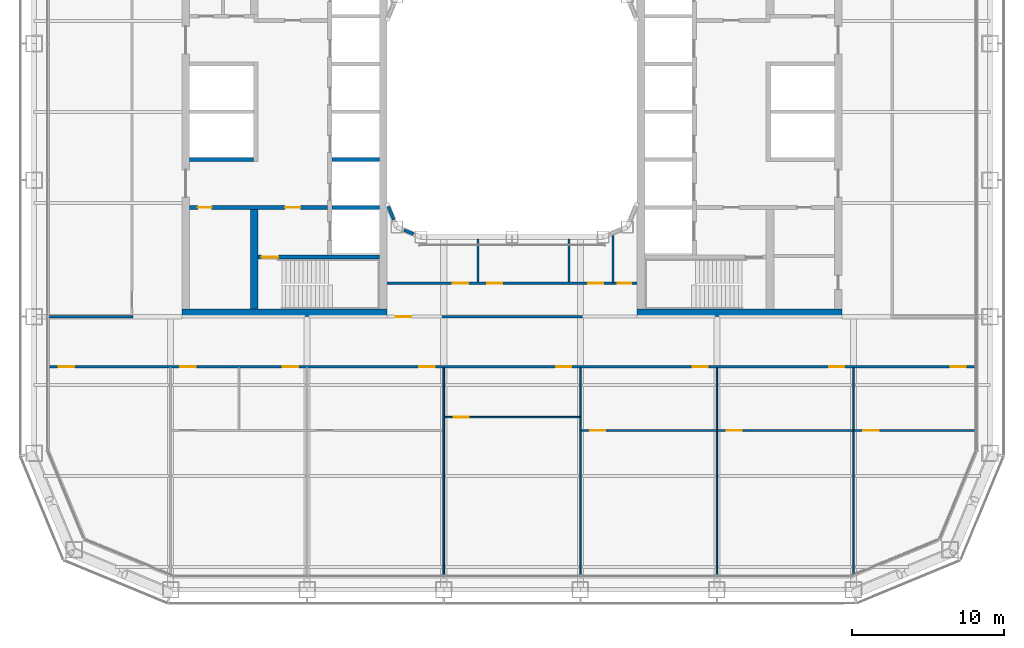
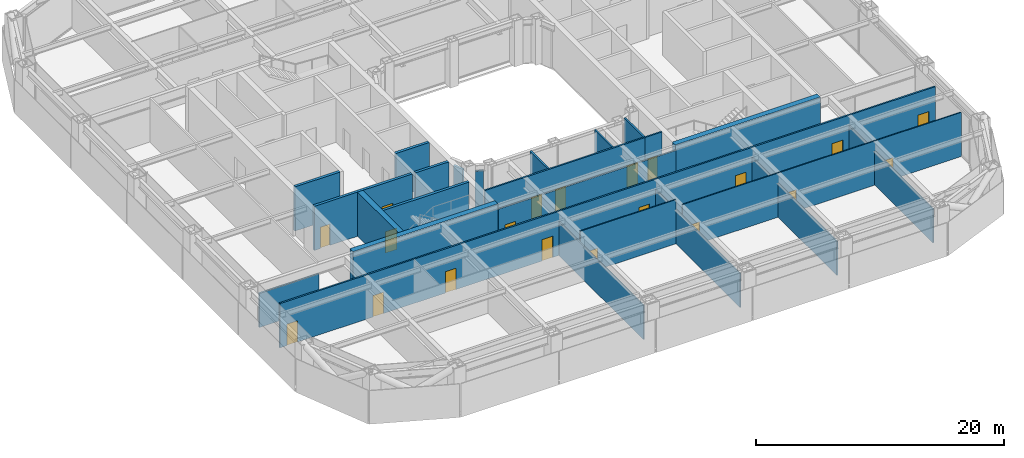
# One storey, part 12 of 24: 26 walls, 20 doors, 20 openings.
"""IFC4 building model written with IfcOpenShell, lengths in metres."""

from ifc_helpers import new_model, si_unit, direction, frame, frame_2d, origin, place, context, subcontext, project, spatial, rectangle, extrude, material, layer, layer_set, type_object, element, fill, save


model = new_model("IFC4")

# Units and contexts
model_context = context("Model", 3, precision=1e-05, world=origin(), true_north=direction((0.0, 1.0)))
body_context = subcontext(model_context, "Body", "Model", "MODEL_VIEW")
ifc_project = project(units=[si_unit("LENGTHUNIT", "METRE"), si_unit("AREAUNIT", "SQUARE_METRE"), si_unit("VOLUMEUNIT", "CUBIC_METRE"), si_unit("PLANEANGLEUNIT", "RADIAN"), si_unit("MASSUNIT", "GRAM", prefix="KILO")], contexts=[model_context])

# Site, building, storey
site_placement = place(None, origin())
site = spatial("IfcSite", under=ifc_project, at=site_placement, CompositionType="ELEMENT")
building_placement = place(site_placement, origin())
building = spatial("IfcBuilding", under=site, at=building_placement, Name="Siwar Civic Tower", CompositionType="ELEMENT")
storey_placement = place(building_placement, frame((0.0, 0.0, 40.199951171875)))
storey = spatial("IfcBuildingStorey", under=building, at=storey_placement, Name="L08", CompositionType="ELEMENT", Elevation=40.199951171875)

# Wall, opening, door
ifc_material_1 = material(Name="Gypsum board on steel studs", Category="steel")
ifc_layer_1 = layer(ifc_material_1, 0.14990234375)
ifc_layer_set_1 = layer_set([ifc_layer_1], Name="Gypsum board on steel studs")
wall_type_1 = type_object("IfcWallType", Name="COMPARTMENT PARTITION 150 EI 60", PredefinedType="PARTITIONING", material=ifc_layer_set_1)
wall_1_placement = place(storey_placement, frame((6.659912109375, -11.300048828125, 0.0), z_axis=(0.0, 0.0, 1.0), x_axis=(1.0, 0.0, 0.0)))
wall_1 = element("IfcWall", 1, at=wall_1_placement, inside=storey, type_object=wall_type_1, Name="L08/wall/P09", PredefinedType="PARTITIONING", context=body_context, shape_type="SweptSolid", body=[
    extrude(rectangle(XDim=1.590087890625, YDim=0.14990234375, at=frame_2d((0.794921875, 0.0))), origin(), (0.0, 0.0, 1.0), 4.35009765625),
])
opening_1_placement = place(wall_1_placement, frame((0.2900390625, 0.0, 0.0)))
opening_1 = element("IfcOpeningElement", 2, at=opening_1_placement, cuts=wall_1, Name="Opening D4", PredefinedType="OPENING", context=body_context, shape_type="SweptSolid", body=[
    extrude(rectangle(XDim=0.89990234375, YDim=2.10009765625, at=frame_2d((0.449951171875, 1.050048828125))), frame((0.0, 0.0849609375, 0.0), z_axis=(0.0, -1.0, 0.0), x_axis=(1.0, 0.0, 0.0)), (0.0, 0.0, 1.0), 0.169921875),
])
ifc_material_2 = material(Name="Timber, painted", Category="wood")
door_type_1 = type_object("IfcDoorType", Name="DOOR 900 X 2100 FD60", OperationType="SINGLE_SWING_LEFT", PredefinedType="DOOR", material=ifc_material_2)
door_1_placement = place(opening_1_placement, origin())
door_1 = element("IfcDoor", 3, at=door_1_placement, inside=storey, type_object=door_type_1, Name="L08-D38", OperationType="SINGLE_SWING_RIGHT", OverallHeight=2.10009765625, OverallWidth=0.89990234375, PredefinedType="DOOR", context=body_context, shape_type="SweptSolid", body=[
    extrude(rectangle(XDim=0.89990234375, YDim=2.10009765625, at=frame_2d((0.449951171875, 1.050048828125))), frame((0.0, 0.02490234375, 0.0), z_axis=(0.0, -1.0, 0.0), x_axis=(1.0, 0.0, 0.0)), (0.0, 0.0, 1.0), 0.050048828125),
])
fill(opening_1, door_1)

# Wall
wall_2_placement = place(storey_placement, frame((6.659912109375, -11.22509765625, 0.0), z_axis=(0.0, 0.0, 1.0), x_axis=(0.0, 1.0, 0.0)))
element("IfcWall", 4, at=wall_2_placement, inside=storey, type_object=wall_type_1, Name="L08/wall/P34", PredefinedType="PARTITIONING", context=body_context, shape_type="SweptSolid", body=[
    extrude(rectangle(XDim=3.089111328125, YDim=0.14990234375, at=frame_2d((1.54443359375, 0.0))), origin(), (0.0, 0.0, 1.0), 4.35009765625),
])

# Wall, openings, doors
ifc_material_3 = material(Name="Concrete C60/75", Category="concrete")
ifc_layer_2 = layer(ifc_material_3, 0.25)
ifc_layer_set_2 = layer_set([ifc_layer_2], Name="Concrete C60/75")
wall_type_2 = type_object("IfcWallType", Name="CORE-WALL-RC250", PredefinedType="SHEAR", material=ifc_layer_set_2)
wall_3_placement = place(storey_placement, frame((-12.14990234375, -6.300048828125, 0.0), z_axis=(0.0, 0.0, 1.0), x_axis=(-1.0, 0.0, 0.0)))
wall_3 = element("IfcWall", 5, at=wall_3_placement, inside=storey, type_object=wall_type_2, Name="Core wall W", PredefinedType="SHEAR", context=body_context, shape_type="SweptSolid", body=[
    extrude(rectangle(XDim=9.10009765625, YDim=0.25, at=frame_2d((4.550048828125, 0.0))), origin(), (0.0, 0.0, 1.0), 4.35009765625),
])
opening_2_placement = place(wall_3_placement, frame((1.800048828125, 0.0, 0.0)))
opening_2 = element("IfcOpeningElement", 6, at=opening_2_placement, cuts=wall_3, Name="Opening L08-CW02", PredefinedType="OPENING", context=body_context, shape_type="SweptSolid", body=[
    extrude(rectangle(XDim=1.0, YDim=2.10009765625, at=frame_2d((0.5, 1.050048828125))), frame((0.0, 0.135009765625, 0.0), z_axis=(0.0, -1.0, 0.0), x_axis=(1.0, 0.0, 0.0)), (0.0, 0.0, 1.0), 0.27001953125),
])
opening_3_placement = place(wall_3_placement, frame((7.64990234375, 0.0, 0.0)))
opening_3 = element("IfcOpeningElement", 7, at=opening_3_placement, cuts=wall_3, Name="Opening L08-CW15", PredefinedType="OPENING", context=body_context, shape_type="SweptSolid", body=[
    extrude(rectangle(XDim=0.89990234375, YDim=2.10009765625, at=frame_2d((0.449951171875, 1.050048828125))), frame((0.0, 0.135009765625, 0.0), z_axis=(0.0, -1.0, 0.0), x_axis=(1.0, 0.0, 0.0)), (0.0, 0.0, 1.0), 0.27001953125),
])
ifc_material_4 = material(Name="Steel door leaf", Category="steel")
door_type_2 = type_object("IfcDoorType", Name="CORE-DOOR-FD30S", OperationType="SINGLE_SWING_LEFT", PredefinedType="DOOR", material=ifc_material_4)
door_2_placement = place(opening_2_placement, origin())
door_2 = element("IfcDoor", 8, at=door_2_placement, inside=storey, type_object=door_type_2, Name="Service lobby door L08-CW02", OperationType="SINGLE_SWING_RIGHT", OverallHeight=2.10009765625, OverallWidth=1.0, PredefinedType="DOOR", context=body_context, shape_type="SweptSolid", body=[
    extrude(rectangle(XDim=1.0, YDim=2.10009765625, at=frame_2d((0.5, 1.050048828125))), frame((0.0, 0.02490234375, 0.0), z_axis=(0.0, -1.0, 0.0), x_axis=(1.0, 0.0, 0.0)), (0.0, 0.0, 1.0), 0.050048828125),
])
fill(opening_2, door_2)
ifc_material_5 = material(Name="Steel door leaf", Category="steel")
door_type_3 = type_object("IfcDoorType", Name="CORE-DOOR-ROOM", OperationType="SINGLE_SWING_LEFT", PredefinedType="DOOR", material=ifc_material_5)
door_3_placement = place(opening_3_placement, origin())
door_3 = element("IfcDoor", 9, at=door_3_placement, inside=storey, type_object=door_type_3, Name="Core room door L08-CW15", OperationType="SINGLE_SWING_LEFT", OverallHeight=2.10009765625, OverallWidth=0.89990234375, PredefinedType="DOOR", context=body_context, shape_type="SweptSolid", body=[
    extrude(rectangle(XDim=0.89990234375, YDim=2.10009765625, at=frame_2d((0.449951171875, 1.050048828125))), frame((0.0, 0.02490234375, 0.0), z_axis=(0.0, -1.0, 0.0), x_axis=(1.0, 0.0, 0.0)), (0.0, 0.0, 1.0), 0.050048828125),
])
fill(opening_3, door_3)

# Walls
wall_4_placement = place(storey_placement, frame((-17.050048828125, -3.14990234375, 0.0), z_axis=(0.0, 0.0, 1.0), x_axis=(-1.0, 0.0, 0.0)))
element("IfcWall", 10, at=wall_4_placement, inside=storey, type_object=wall_type_2, Name="Core wall W", PredefinedType="SHEAR", context=body_context, shape_type="SweptSolid", body=[
    extrude(rectangle(XDim=4.199951171875, YDim=0.25, at=frame_2d((2.10009765625, 0.0))), origin(), (0.0, 0.0, 1.0), 4.35009765625),
])
for number, where, z_axis, x_axis, name in (
    (11, (-8.75, -3.14990234375, 0.0), (0.0, 0.0, 1.0), (-1.0, 0.0, 0.0), "Core wall W"),
    (12, (-8.75, -6.300048828125, 0.0), (0.0, 0.0, 1.0), (-1.0, 0.0, 0.0), "Core wall W"),
):
    element("IfcWall", number, at=place(storey_placement, frame(where, z_axis=z_axis, x_axis=x_axis)), inside=storey, type_object=wall_type_2, Name=name, PredefinedType="SHEAR", context=body_context, shape_type="SweptSolid", body=[
        extrude(rectangle(XDim=3.10009765625, YDim=0.25, at=frame_2d((1.550048828125, 0.0))), origin(), (0.0, 0.0, 1.0), 4.35009765625),
    ])

# Wall, opening, door
wall_5_placement = place(storey_placement, frame((-8.75, -9.574951171875, 0.0), z_axis=(0.0, 0.0, 1.0), x_axis=(-1.0, 0.0, 0.0)))
wall_5 = element("IfcWall", 13, at=wall_5_placement, inside=storey, type_object=wall_type_2, Name="Core wall W", PredefinedType="SHEAR", context=body_context, shape_type="SweptSolid", body=[
    extrude(rectangle(XDim=8.0, YDim=0.25, at=frame_2d((4.0, 0.0))), origin(), (0.0, 0.0, 1.0), 4.35009765625),
])
opening_4_placement = place(wall_5_placement, frame((6.64990234375, 0.0, 0.0)))
opening_4 = element("IfcOpeningElement", 14, at=opening_4_placement, cuts=wall_5, Name="Opening L08-CW04", PredefinedType="OPENING", context=body_context, shape_type="SweptSolid", body=[
    extrude(rectangle(XDim=1.10009765625, YDim=2.10009765625, at=frame_2d((0.550048828125, 1.050048828125))), frame((0.0, 0.135009765625, 0.0), z_axis=(0.0, -1.0, 0.0), x_axis=(1.0, 0.0, 0.0)), (0.0, 0.0, 1.0), 0.27001953125),
])
ifc_material_6 = material(Name="Steel door leaf", Category="steel")
door_type_4 = type_object("IfcDoorType", Name="CORE-DOOR-FD60S", OperationType="SINGLE_SWING_LEFT", PredefinedType="DOOR", material=ifc_material_6)
door_4_placement = place(opening_4_placement, origin())
door_4 = element("IfcDoor", 15, at=door_4_placement, inside=storey, type_object=door_type_4, Name="Stair door L08-CW04", OperationType="SINGLE_SWING_LEFT", OverallHeight=2.10009765625, OverallWidth=1.10009765625, PredefinedType="DOOR", context=body_context, shape_type="SweptSolid", body=[
    extrude(rectangle(XDim=1.10009765625, YDim=2.10009765625, at=frame_2d((0.550048828125, 1.050048828125))), frame((0.0, 0.02490234375, 0.0), z_axis=(0.0, -1.0, 0.0), x_axis=(1.0, 0.0, 0.0)), (0.0, 0.0, 1.0), 0.050048828125),
])
fill(opening_4, door_4)

# Walls
ifc_material_7 = material(Name="Concrete C60/75", Category="concrete")
ifc_layer_3 = layer(ifc_material_7, 0.5)
ifc_layer_set_3 = layer_set([ifc_layer_3], Name="Concrete C60/75")
wall_type_3 = type_object("IfcWallType", Name="CORE-WALL-RC500", PredefinedType="SHEAR", material=ifc_layer_set_3)
wall_6_placement = place(storey_placement, frame((-17.0, -13.0, 0.0), z_axis=(0.0, 0.0, 1.0), x_axis=(0.0, 1.0, 0.0)))
element("IfcWall", 16, at=wall_6_placement, inside=storey, type_object=wall_type_3, Name="Core wall W", PredefinedType="SHEAR", context=body_context, shape_type="SweptSolid", body=[
    extrude(rectangle(XDim=6.574951171875, YDim=0.5, at=frame_2d((3.28759765625, 0.0))), origin(), (0.0, 0.0, 1.0), 4.35009765625),
])
for number, where, z_axis, x_axis, name in (
    (17, (-8.25, -13.25, 0.0), (0.0, 0.0, 1.0), (-1.0, 0.0, 0.0), "Core wall W"),
    (18, (8.25, -13.25, 0.0), (0.0, 0.0, 1.0), (1.0, 0.0, 0.0), "Core wall E"),
):
    element("IfcWall", number, at=place(storey_placement, frame(where, z_axis=z_axis, x_axis=x_axis)), inside=storey, type_object=wall_type_3, Name=name, PredefinedType="SHEAR", context=body_context, shape_type="SweptSolid", body=[
        extrude(rectangle(XDim=13.5, YDim=0.5, at=frame_2d((6.75, 0.0))), origin(), (0.0, 0.0, 1.0), 4.35009765625),
    ])

# Wall, openings, doors
ifc_material_8 = material(Name="Gypsum board on steel studs", Category="steel")
ifc_layer_4 = layer(ifc_material_8, 0.14990234375)
ifc_layer_set_4 = layer_set([ifc_layer_4], Name="Gypsum board on steel studs")
wall_type_4 = type_object("IfcWallType", Name="CORRIDOR PARTITION 150 EI 30", PredefinedType="PARTITIONING", material=ifc_layer_set_4)
wall_7_placement = place(storey_placement, frame((-30.510009765625, -16.800048828125, 0.0), z_axis=(0.0, 0.0, 1.0), x_axis=(1.0, 0.0, 0.0)))
wall_7 = element("IfcWall", 19, at=wall_7_placement, inside=storey, type_object=wall_type_4, Name="L08/wall/P04", PredefinedType="PARTITIONING", context=body_context, shape_type="SweptSolid", body=[
    extrude(rectangle(XDim=61.02001953125, YDim=0.14990234375, at=frame_2d((30.510009765625, 0.0))), origin(), (0.0, 0.0, 1.0), 4.35009765625),
])
opening_5_placement = place(wall_7_placement, frame((8.659912109375, 0.0, 0.0)))
opening_5 = element("IfcOpeningElement", 20, at=opening_5_placement, cuts=wall_7, Name="Opening D1", PredefinedType="OPENING", context=body_context, shape_type="SweptSolid", body=[
    extrude(rectangle(XDim=1.0, YDim=2.10009765625, at=frame_2d((0.5, 1.050048828125))), frame((0.0, 0.0849609375, 0.0), z_axis=(0.0, -1.0, 0.0), x_axis=(1.0, 0.0, 0.0)), (0.0, 0.0, 1.0), 0.169921875),
])
opening_6_placement = place(wall_7_placement, frame((15.409912109375, 0.0, 0.0)))
opening_6 = element("IfcOpeningElement", 21, at=opening_6_placement, cuts=wall_7, Name="Opening D1", PredefinedType="OPENING", context=body_context, shape_type="SweptSolid", body=[
    extrude(rectangle(XDim=1.0, YDim=2.10009765625, at=frame_2d((0.5, 1.050048828125))), frame((0.0, 0.0849609375, 0.0), z_axis=(0.0, -1.0, 0.0), x_axis=(1.0, 0.0, 0.0)), (0.0, 0.0, 1.0), 0.169921875),
])
opening_7_placement = place(wall_7_placement, frame((24.409912109375, 0.0, 0.0)))
opening_7 = element("IfcOpeningElement", 22, at=opening_7_placement, cuts=wall_7, Name="Opening D1", PredefinedType="OPENING", context=body_context, shape_type="SweptSolid", body=[
    extrude(rectangle(XDim=1.0, YDim=2.10009765625, at=frame_2d((0.5, 1.050048828125))), frame((0.0, 0.0849609375, 0.0), z_axis=(0.0, -1.0, 0.0), x_axis=(1.0, 0.0, 0.0)), (0.0, 0.0, 1.0), 0.169921875),
])
opening_8_placement = place(wall_7_placement, frame((33.409912109375, 0.0, 0.0)))
opening_8 = element("IfcOpeningElement", 23, at=opening_8_placement, cuts=wall_7, Name="Opening D1", PredefinedType="OPENING", context=body_context, shape_type="SweptSolid", body=[
    extrude(rectangle(XDim=1.0, YDim=2.10009765625, at=frame_2d((0.5, 1.050048828125))), frame((0.0, 0.0849609375, 0.0), z_axis=(0.0, -1.0, 0.0), x_axis=(1.0, 0.0, 0.0)), (0.0, 0.0, 1.0), 0.169921875),
])
opening_9_placement = place(wall_7_placement, frame((42.409912109375, 0.0, 0.0)))
opening_9 = element("IfcOpeningElement", 24, at=opening_9_placement, cuts=wall_7, Name="Opening D1", PredefinedType="OPENING", context=body_context, shape_type="SweptSolid", body=[
    extrude(rectangle(XDim=1.0, YDim=2.10009765625, at=frame_2d((0.5, 1.050048828125))), frame((0.0, 0.0849609375, 0.0), z_axis=(0.0, -1.0, 0.0), x_axis=(1.0, 0.0, 0.0)), (0.0, 0.0, 1.0), 0.169921875),
])
opening_10_placement = place(wall_7_placement, frame((51.409912109375, 0.0, 0.0)))
opening_10 = element("IfcOpeningElement", 25, at=opening_10_placement, cuts=wall_7, Name="Opening D1", PredefinedType="OPENING", context=body_context, shape_type="SweptSolid", body=[
    extrude(rectangle(XDim=1.0, YDim=2.10009765625, at=frame_2d((0.5, 1.050048828125))), frame((0.0, 0.0849609375, 0.0), z_axis=(0.0, -1.0, 0.0), x_axis=(1.0, 0.0, 0.0)), (0.0, 0.0, 1.0), 0.169921875),
])
opening_11_placement = place(wall_7_placement, frame((0.64990234375, 0.0, 0.0)))
opening_11 = element("IfcOpeningElement", 26, at=opening_11_placement, cuts=wall_7, Name="Opening D1", PredefinedType="OPENING", context=body_context, shape_type="SweptSolid", body=[
    extrude(rectangle(XDim=1.0, YDim=2.10009765625, at=frame_2d((0.5, 1.050048828125))), frame((0.0, 0.0849609375, 0.0), z_axis=(0.0, -1.0, 0.0), x_axis=(1.0, 0.0, 0.0)), (0.0, 0.0, 1.0), 0.169921875),
])
opening_12_placement = place(wall_7_placement, frame((59.409912109375, 0.0, 0.0)))
opening_12 = element("IfcOpeningElement", 27, at=opening_12_placement, cuts=wall_7, Name="Opening D1", PredefinedType="OPENING", context=body_context, shape_type="SweptSolid", body=[
    extrude(rectangle(XDim=1.0, YDim=2.10009765625, at=frame_2d((0.5, 1.050048828125))), frame((0.0, 0.0849609375, 0.0), z_axis=(0.0, -1.0, 0.0), x_axis=(1.0, 0.0, 0.0)), (0.0, 0.0, 1.0), 0.169921875),
])
ifc_material_9 = material(Name="Timber, painted", Category="wood")
door_type_5 = type_object("IfcDoorType", Name="DOOR 1000 X 2100 FD30", OperationType="SINGLE_SWING_LEFT", PredefinedType="DOOR", material=ifc_material_9)
door_5_placement = place(opening_5_placement, origin())
door_5 = element("IfcDoor", 28, at=door_5_placement, inside=storey, type_object=door_type_5, Name="L08-D13", OperationType="SINGLE_SWING_LEFT", OverallHeight=2.10009765625, OverallWidth=1.0, PredefinedType="DOOR", context=body_context, shape_type="SweptSolid", body=[
    extrude(rectangle(XDim=1.0, YDim=2.10009765625, at=frame_2d((0.5, 1.050048828125))), frame((0.0, 0.02490234375, 0.0), z_axis=(0.0, -1.0, 0.0), x_axis=(1.0, 0.0, 0.0)), (0.0, 0.0, 1.0), 0.050048828125),
])
fill(opening_5, door_5)
door_6_placement = place(opening_6_placement, origin())
door_6 = element("IfcDoor", 29, at=door_6_placement, inside=storey, type_object=door_type_5, Name="L08-D14", OperationType="SINGLE_SWING_RIGHT", OverallHeight=2.10009765625, OverallWidth=1.0, PredefinedType="DOOR", context=body_context, shape_type="SweptSolid", body=[
    extrude(rectangle(XDim=1.0, YDim=2.10009765625, at=frame_2d((0.5, 1.050048828125))), frame((0.0, 0.02490234375, 0.0), z_axis=(0.0, -1.0, 0.0), x_axis=(1.0, 0.0, 0.0)), (0.0, 0.0, 1.0), 0.050048828125),
])
fill(opening_6, door_6)
door_7_placement = place(opening_7_placement, origin())
door_7 = element("IfcDoor", 30, at=door_7_placement, inside=storey, type_object=door_type_5, Name="L08-D16", OperationType="SINGLE_SWING_RIGHT", OverallHeight=2.10009765625, OverallWidth=1.0, PredefinedType="DOOR", context=body_context, shape_type="SweptSolid", body=[
    extrude(rectangle(XDim=1.0, YDim=2.10009765625, at=frame_2d((0.5, 1.050048828125))), frame((0.0, 0.02490234375, 0.0), z_axis=(0.0, -1.0, 0.0), x_axis=(1.0, 0.0, 0.0)), (0.0, 0.0, 1.0), 0.050048828125),
])
fill(opening_7, door_7)
door_8_placement = place(opening_8_placement, origin())
door_8 = element("IfcDoor", 31, at=door_8_placement, inside=storey, type_object=door_type_5, Name="L08-D18", OperationType="SINGLE_SWING_RIGHT", OverallHeight=2.10009765625, OverallWidth=1.0, PredefinedType="DOOR", context=body_context, shape_type="SweptSolid", body=[
    extrude(rectangle(XDim=1.0, YDim=2.10009765625, at=frame_2d((0.5, 1.050048828125))), frame((0.0, 0.02490234375, 0.0), z_axis=(0.0, -1.0, 0.0), x_axis=(1.0, 0.0, 0.0)), (0.0, 0.0, 1.0), 0.050048828125),
])
fill(opening_8, door_8)
door_9_placement = place(opening_9_placement, origin())
door_9 = element("IfcDoor", 32, at=door_9_placement, inside=storey, type_object=door_type_5, Name="L08-D20", OperationType="SINGLE_SWING_RIGHT", OverallHeight=2.10009765625, OverallWidth=1.0, PredefinedType="DOOR", context=body_context, shape_type="SweptSolid", body=[
    extrude(rectangle(XDim=1.0, YDim=2.10009765625, at=frame_2d((0.5, 1.050048828125))), frame((0.0, 0.02490234375, 0.0), z_axis=(0.0, -1.0, 0.0), x_axis=(1.0, 0.0, 0.0)), (0.0, 0.0, 1.0), 0.050048828125),
])
fill(opening_9, door_9)
door_10_placement = place(opening_10_placement, origin())
door_10 = element("IfcDoor", 33, at=door_10_placement, inside=storey, type_object=door_type_5, Name="L08-D22", OperationType="SINGLE_SWING_RIGHT", OverallHeight=2.10009765625, OverallWidth=1.0, PredefinedType="DOOR", context=body_context, shape_type="SweptSolid", body=[
    extrude(rectangle(XDim=1.0, YDim=2.10009765625, at=frame_2d((0.5, 1.050048828125))), frame((0.0, 0.02490234375, 0.0), z_axis=(0.0, -1.0, 0.0), x_axis=(1.0, 0.0, 0.0)), (0.0, 0.0, 1.0), 0.050048828125),
])
fill(opening_10, door_10)
door_11_placement = place(opening_11_placement, origin())
door_11 = element("IfcDoor", 34, at=door_11_placement, inside=storey, type_object=door_type_5, Name="L08-D27", OperationType="SINGLE_SWING_LEFT", OverallHeight=2.10009765625, OverallWidth=1.0, PredefinedType="DOOR", context=body_context, shape_type="SweptSolid", body=[
    extrude(rectangle(XDim=1.0, YDim=2.10009765625, at=frame_2d((0.5, 1.050048828125))), frame((0.0, 0.02490234375, 0.0), z_axis=(0.0, -1.0, 0.0), x_axis=(1.0, 0.0, 0.0)), (0.0, 0.0, 1.0), 0.050048828125),
])
fill(opening_11, door_11)
door_12_placement = place(opening_12_placement, origin())
door_12 = element("IfcDoor", 35, at=door_12_placement, inside=storey, type_object=door_type_5, Name="L08-D28", OperationType="SINGLE_SWING_RIGHT", OverallHeight=2.10009765625, OverallWidth=1.0, PredefinedType="DOOR", context=body_context, shape_type="SweptSolid", body=[
    extrude(rectangle(XDim=1.0, YDim=2.10009765625, at=frame_2d((0.5, 1.050048828125))), frame((0.0, 0.02490234375, 0.0), z_axis=(0.0, -1.0, 0.0), x_axis=(1.0, 0.0, 0.0)), (0.0, 0.0, 1.0), 0.050048828125),
])
fill(opening_12, door_12)

# Wall
wall_8_placement = place(storey_placement, frame((-30.510009765625, -13.5, 0.0), z_axis=(0.0, 0.0, 1.0), x_axis=(1.0, 0.0, 0.0)))
element("IfcWall", 36, at=wall_8_placement, inside=storey, type_object=wall_type_4, Name="L08/wall/P05", PredefinedType="PARTITIONING", context=body_context, shape_type="SweptSolid", body=[
    extrude(rectangle(XDim=5.534912109375, YDim=0.14990234375, at=frame_2d((2.767578125, 0.0))), origin(), (0.0, 0.0, 1.0), 3.35009765625),
])

# Wall, opening, door
wall_9_placement = place(storey_placement, frame((-8.25, -13.5, 0.0), z_axis=(0.0, 0.0, 1.0), x_axis=(1.0, 0.0, 0.0)))
wall_9 = element("IfcWall", 37, at=wall_9_placement, inside=storey, type_object=wall_type_4, Name="L08/wall/P06", PredefinedType="PARTITIONING", context=body_context, shape_type="SweptSolid", body=[
    extrude(rectangle(XDim=16.5, YDim=0.14990234375, at=frame_2d((8.25, 0.0))), origin(), (0.0, 0.0, 1.0), 3.85009765625),
])
opening_13_placement = place(wall_9_placement, frame((0.60009765625, 0.0, 0.0)))
opening_13 = element("IfcOpeningElement", 38, at=opening_13_placement, cuts=wall_9, Name="Opening D1", PredefinedType="OPENING", context=body_context, shape_type="SweptSolid", body=[
    extrude(rectangle(XDim=1.0, YDim=2.10009765625, at=frame_2d((0.5, 1.050048828125))), frame((0.0, 0.0849609375, 0.0), z_axis=(0.0, -1.0, 0.0), x_axis=(1.0, 0.0, 0.0)), (0.0, 0.0, 1.0), 0.169921875),
])
door_13_placement = place(opening_13_placement, origin())
door_13 = element("IfcDoor", 39, at=door_13_placement, inside=storey, type_object=door_type_5, Name="L08-D34", OperationType="SINGLE_SWING_RIGHT", OverallHeight=2.10009765625, OverallWidth=1.0, PredefinedType="DOOR", context=body_context, shape_type="SweptSolid", body=[
    extrude(rectangle(XDim=1.0, YDim=2.10009765625, at=frame_2d((0.5, 1.050048828125))), frame((0.0, 0.02490234375, 0.0), z_axis=(0.0, -1.0, 0.0), x_axis=(1.0, 0.0, 0.0)), (0.0, 0.0, 1.0), 0.050048828125),
])
fill(opening_13, door_13)

# Wall, openings, doors
wall_10_placement = place(storey_placement, frame((-8.25, -11.300048828125, 0.0), z_axis=(0.0, 0.0, 1.0), x_axis=(1.0, 0.0, 0.0)))
wall_10 = element("IfcWall", 40, at=wall_10_placement, inside=storey, type_object=wall_type_4, Name="L08/wall/P08", PredefinedType="PARTITIONING", context=body_context, shape_type="SweptSolid", body=[
    extrude(rectangle(XDim=14.909912109375, YDim=0.14990234375, at=frame_2d((7.455078125, 0.0))), origin(), (0.0, 0.0, 1.0), 4.35009765625),
])
opening_14_placement = place(wall_10_placement, frame((4.35009765625, 0.0, 0.0)))
opening_14 = element("IfcOpeningElement", 41, at=opening_14_placement, cuts=wall_10, Name="Opening D3", PredefinedType="OPENING", context=body_context, shape_type="SweptSolid", body=[
    extrude(rectangle(XDim=1.0, YDim=2.10009765625, at=frame_2d((0.5, 1.050048828125))), frame((0.0, 0.0849609375, 0.0), z_axis=(0.0, -1.0, 0.0), x_axis=(1.0, 0.0, 0.0)), (0.0, 0.0, 1.0), 0.169921875),
])
opening_15_placement = place(wall_10_placement, frame((6.60009765625, 0.0, 0.0)))
opening_15 = element("IfcOpeningElement", 42, at=opening_15_placement, cuts=wall_10, Name="Opening D3", PredefinedType="OPENING", context=body_context, shape_type="SweptSolid", body=[
    extrude(rectangle(XDim=1.0, YDim=2.10009765625, at=frame_2d((0.5, 1.050048828125))), frame((0.0, 0.0849609375, 0.0), z_axis=(0.0, -1.0, 0.0), x_axis=(1.0, 0.0, 0.0)), (0.0, 0.0, 1.0), 0.169921875),
])
opening_16_placement = place(wall_10_placement, frame((13.260009765625, 0.0, 0.0)))
opening_16 = element("IfcOpeningElement", 43, at=opening_16_placement, cuts=wall_10, Name="Opening D3", PredefinedType="OPENING", context=body_context, shape_type="SweptSolid", body=[
    extrude(rectangle(XDim=1.0, YDim=2.10009765625, at=frame_2d((0.5, 1.050048828125))), frame((0.0, 0.0849609375, 0.0), z_axis=(0.0, -1.0, 0.0), x_axis=(1.0, 0.0, 0.0)), (0.0, 0.0, 1.0), 0.169921875),
])
ifc_material_10 = material(Name="Timber, painted", Category="wood")
door_type_6 = type_object("IfcDoorType", Name="DOOR 1000 X 2100 WC", OperationType="SINGLE_SWING_LEFT", PredefinedType="DOOR", material=ifc_material_10)
door_14_placement = place(opening_14_placement, origin())
door_14 = element("IfcDoor", 44, at=door_14_placement, inside=storey, type_object=door_type_6, Name="L08-D35", OperationType="SINGLE_SWING_LEFT", OverallHeight=2.10009765625, OverallWidth=1.0, PredefinedType="DOOR", context=body_context, shape_type="SweptSolid", body=[
    extrude(rectangle(XDim=1.0, YDim=2.10009765625, at=frame_2d((0.5, 1.050048828125))), frame((0.0, 0.02490234375, 0.0), z_axis=(0.0, -1.0, 0.0), x_axis=(1.0, 0.0, 0.0)), (0.0, 0.0, 1.0), 0.050048828125),
])
fill(opening_14, door_14)
door_15_placement = place(opening_15_placement, origin())
door_15 = element("IfcDoor", 45, at=door_15_placement, inside=storey, type_object=door_type_6, Name="L08-D36", OperationType="SINGLE_SWING_RIGHT", OverallHeight=2.10009765625, OverallWidth=1.0, PredefinedType="DOOR", context=body_context, shape_type="SweptSolid", body=[
    extrude(rectangle(XDim=1.0, YDim=2.10009765625, at=frame_2d((0.5, 1.050048828125))), frame((0.0, 0.02490234375, 0.0), z_axis=(0.0, -1.0, 0.0), x_axis=(1.0, 0.0, 0.0)), (0.0, 0.0, 1.0), 0.050048828125),
])
fill(opening_15, door_15)
door_16_placement = place(opening_16_placement, origin())
door_16 = element("IfcDoor", 46, at=door_16_placement, inside=storey, type_object=door_type_6, Name="L08-D37", OperationType="SINGLE_SWING_LEFT", OverallHeight=2.10009765625, OverallWidth=1.0, PredefinedType="DOOR", context=body_context, shape_type="SweptSolid", body=[
    extrude(rectangle(XDim=1.0, YDim=2.10009765625, at=frame_2d((0.5, 1.050048828125))), frame((0.0, 0.02490234375, 0.0), z_axis=(0.0, -1.0, 0.0), x_axis=(1.0, 0.0, 0.0)), (0.0, 0.0, 1.0), 0.050048828125),
])
fill(opening_16, door_16)

# Walls
for number, where, z_axis, x_axis, name in (
    (47, (-2.25, -11.22509765625, 0.0), (0.0, 0.0, 1.0), (0.0, 1.0, 0.0), "L08/wall/P29"),
    (48, (3.75, -11.22509765625, 0.0), (0.0, 0.0, 1.0), (0.0, 1.0, 0.0), "L08/wall/P30"),
):
    element("IfcWall", number, at=place(storey_placement, frame(where, z_axis=z_axis, x_axis=x_axis)), inside=storey, type_object=wall_type_4, Name=name, PredefinedType="PARTITIONING", context=body_context, shape_type="SweptSolid", body=[
        extrude(rectangle(XDim=2.85498046875, YDim=0.14990234375, at=frame_2d((1.427490234375, 0.0))), origin(), (0.0, 0.0, 1.0), 4.35009765625),
    ])
ifc_material_11 = material(Name="Aluminium clad insulated panel", Category="aluminium")
ifc_layer_5 = layer(ifc_material_11, 0.199951171875)
ifc_layer_set_5 = layer_set([ifc_layer_5], Name="Aluminium clad insulated panel")
wall_type_5 = type_object("IfcWallType", Name="ENV-WALL-WELL", PredefinedType="STANDARD", material=ifc_layer_set_5)
wall_11_placement = place(storey_placement, frame((-8.154296875, -6.23095703125, 0.0), z_axis=(0.0, 0.0, 1.0), x_axis=(0.382624318388, -0.923904016107, 0.0)))
element("IfcWall", 49, at=wall_11_placement, inside=storey, type_object=wall_type_5, Name="Light well corner wall SW1", PredefinedType="STANDARD", context=body_context, shape_type="SweptSolid", body=[
    extrude(rectangle(XDim=0.949462890625, YDim=0.199951171875, at=frame_2d((0.474609375, 0.0))), origin(), (0.0, 0.0, 1.0), 3.72998046875),
])
wall_12_placement = place(storey_placement, frame((-7.108154296875, -7.791015625, 0.0), z_axis=(0.0, 0.0, 1.0), x_axis=(0.923854141361, -0.382744726273, 0.0)))
element("IfcWall", 50, at=wall_12_placement, inside=storey, type_object=wall_type_5, Name="Light well corner wall SW2", PredefinedType="STANDARD", context=body_context, shape_type="SweptSolid", body=[
    extrude(rectangle(XDim=0.6767578125, YDim=0.199951171875, at=frame_2d((0.33837890625, 0.0))), origin(), (0.0, 0.0, 1.0), 3.72998046875),
])

# Wall, openings, doors
ifc_material_12 = material(Name="Gypsum board on steel studs", Category="steel")
ifc_layer_6 = layer(ifc_material_12, 0.10009765625)
ifc_layer_set_6 = layer_set([ifc_layer_6], Name="Gypsum board on steel studs")
wall_type_6 = type_object("IfcWallType", Name="PARTITION 100 GYPSUM", PredefinedType="PARTITIONING", material=ifc_layer_set_6)
wall_13_placement = place(storey_placement, frame((4.550048828125, -21.0, 0.0), z_axis=(0.0, 0.0, 1.0), x_axis=(1.0, 0.0, 0.0)))
wall_13 = element("IfcWall", 51, at=wall_13_placement, inside=storey, type_object=wall_type_6, Name="L08/wall/P02", PredefinedType="PARTITIONING", context=body_context, shape_type="SweptSolid", body=[
    extrude(rectangle(XDim=25.9599609375, YDim=0.10009765625, at=frame_2d((12.97998046875, 0.0))), origin(), (0.0, 0.0, 1.0), 4.35009765625),
])
opening_17_placement = place(wall_13_placement, frame((0.60009765625, 0.0, 0.0)))
opening_17 = element("IfcOpeningElement", 52, at=opening_17_placement, cuts=wall_13, Name="Opening D2", PredefinedType="OPENING", context=body_context, shape_type="SweptSolid", body=[
    extrude(rectangle(XDim=1.0, YDim=2.10009765625, at=frame_2d((0.5, 1.050048828125))), frame((0.0, 0.06005859375, 0.0), z_axis=(0.0, -1.0, 0.0), x_axis=(1.0, 0.0, 0.0)), (0.0, 0.0, 1.0), 0.1201171875),
])
opening_18_placement = place(wall_13_placement, frame((9.60009765625, 0.0, 0.0)))
opening_18 = element("IfcOpeningElement", 53, at=opening_18_placement, cuts=wall_13, Name="Opening D2", PredefinedType="OPENING", context=body_context, shape_type="SweptSolid", body=[
    extrude(rectangle(XDim=1.0, YDim=2.10009765625, at=frame_2d((0.5, 1.050048828125))), frame((0.0, 0.06005859375, 0.0), z_axis=(0.0, -1.0, 0.0), x_axis=(1.0, 0.0, 0.0)), (0.0, 0.0, 1.0), 0.1201171875),
])
opening_19_placement = place(wall_13_placement, frame((18.60009765625, 0.0, 0.0)))
opening_19 = element("IfcOpeningElement", 54, at=opening_19_placement, cuts=wall_13, Name="Opening D2", PredefinedType="OPENING", context=body_context, shape_type="SweptSolid", body=[
    extrude(rectangle(XDim=1.0, YDim=2.10009765625, at=frame_2d((0.5, 1.050048828125))), frame((0.0, 0.06005859375, 0.0), z_axis=(0.0, -1.0, 0.0), x_axis=(1.0, 0.0, 0.0)), (0.0, 0.0, 1.0), 0.1201171875),
])
ifc_material_13 = material(Name="Timber, painted", Category="wood")
door_type_7 = type_object("IfcDoorType", Name="DOOR 1000 X 2100", OperationType="SINGLE_SWING_LEFT", PredefinedType="DOOR", material=ifc_material_13)
door_17_placement = place(opening_17_placement, origin())
door_17 = element("IfcDoor", 55, at=door_17_placement, inside=storey, type_object=door_type_7, Name="L08-D21", OperationType="SINGLE_SWING_LEFT", OverallHeight=2.10009765625, OverallWidth=1.0, PredefinedType="DOOR", context=body_context, shape_type="SweptSolid", body=[
    extrude(rectangle(XDim=1.0, YDim=2.10009765625, at=frame_2d((0.5, 1.050048828125))), frame((0.0, 0.02490234375, 0.0), z_axis=(0.0, -1.0, 0.0), x_axis=(1.0, 0.0, 0.0)), (0.0, 0.0, 1.0), 0.050048828125),
])
fill(opening_17, door_17)
door_18_placement = place(opening_18_placement, origin())
door_18 = element("IfcDoor", 56, at=door_18_placement, inside=storey, type_object=door_type_7, Name="L08-D23", OperationType="SINGLE_SWING_LEFT", OverallHeight=2.10009765625, OverallWidth=1.0, PredefinedType="DOOR", context=body_context, shape_type="SweptSolid", body=[
    extrude(rectangle(XDim=1.0, YDim=2.10009765625, at=frame_2d((0.5, 1.050048828125))), frame((0.0, 0.02490234375, 0.0), z_axis=(0.0, -1.0, 0.0), x_axis=(1.0, 0.0, 0.0)), (0.0, 0.0, 1.0), 0.050048828125),
])
fill(opening_18, door_18)
door_19_placement = place(opening_19_placement, origin())
door_19 = element("IfcDoor", 57, at=door_19_placement, inside=storey, type_object=door_type_7, Name="L08-D29", OperationType="SINGLE_SWING_LEFT", OverallHeight=2.10009765625, OverallWidth=1.0, PredefinedType="DOOR", context=body_context, shape_type="SweptSolid", body=[
    extrude(rectangle(XDim=1.0, YDim=2.10009765625, at=frame_2d((0.5, 1.050048828125))), frame((0.0, 0.02490234375, 0.0), z_axis=(0.0, -1.0, 0.0), x_axis=(1.0, 0.0, 0.0)), (0.0, 0.0, 1.0), 0.050048828125),
])
fill(opening_19, door_19)

# Wall, opening, door
wall_14_placement = place(storey_placement, frame((-4.449951171875, -20.1201171875, 0.0), z_axis=(0.0, 0.0, 1.0), x_axis=(1.0, 0.0, 0.0)))
wall_14 = element("IfcWall", 58, at=wall_14_placement, inside=storey, type_object=wall_type_6, Name="L08/wall/P03", PredefinedType="PARTITIONING", context=body_context, shape_type="SweptSolid", body=[
    extrude(rectangle(XDim=8.89990234375, YDim=0.10009765625, at=frame_2d((4.449951171875, 0.0))), origin(), (0.0, 0.0, 1.0), 4.35009765625),
])
opening_20_placement = place(wall_14_placement, frame((0.60009765625, 0.0, 0.0)))
opening_20 = element("IfcOpeningElement", 59, at=opening_20_placement, cuts=wall_14, Name="Opening D2", PredefinedType="OPENING", context=body_context, shape_type="SweptSolid", body=[
    extrude(rectangle(XDim=1.0, YDim=2.10009765625, at=frame_2d((0.5, 1.050048828125))), frame((0.0, 0.06005859375, 0.0), z_axis=(0.0, -1.0, 0.0), x_axis=(1.0, 0.0, 0.0)), (0.0, 0.0, 1.0), 0.1201171875),
])
door_20_placement = place(opening_20_placement, origin())
door_20 = element("IfcDoor", 60, at=door_20_placement, inside=storey, type_object=door_type_7, Name="L08-D19", OperationType="SINGLE_SWING_LEFT", OverallHeight=2.10009765625, OverallWidth=1.0, PredefinedType="DOOR", context=body_context, shape_type="SweptSolid", body=[
    extrude(rectangle(XDim=1.0, YDim=2.10009765625, at=frame_2d((0.5, 1.050048828125))), frame((0.0, 0.02490234375, 0.0), z_axis=(0.0, -1.0, 0.0), x_axis=(1.0, 0.0, 0.0)), (0.0, 0.0, 1.0), 0.050048828125),
])
fill(opening_20, door_20)

# Walls
for number, where, z_axis, x_axis, name in (
    (61, (-4.5, -30.510009765625, 0.0), (0.0, 0.0, 1.0), (0.0, 1.0, 0.0), "L08/wall/P26"),
    (62, (4.5, -30.510009765625, 0.0), (0.0, 0.0, 1.0), (0.0, 1.0, 0.0), "L08/wall/P31"),
):
    element("IfcWall", number, at=place(storey_placement, frame(where, z_axis=z_axis, x_axis=x_axis)), inside=storey, type_object=wall_type_6, Name=name, PredefinedType="PARTITIONING", context=body_context, shape_type="SweptSolid", body=[
        extrude(rectangle(XDim=13.635009765625, YDim=0.10009765625, at=frame_2d((6.8173828125, 0.0))), origin(), (0.0, 0.0, 1.0), 3.35009765625),
    ])
wall_15_placement = place(storey_placement, frame((13.5, -30.510009765625, 0.0), z_axis=(0.0, 0.0, 1.0), x_axis=(0.0, 1.0, 0.0)))
element("IfcWall", 63, at=wall_15_placement, inside=storey, type_object=wall_type_6, Name="L08/wall/P35", PredefinedType="PARTITIONING", context=body_context, shape_type="SweptSolid", body=[
    extrude(rectangle(XDim=9.4599609375, YDim=0.10009765625, at=frame_2d((4.72998046875, 0.0))), origin(), (0.0, 0.0, 1.0), 3.35009765625),
])
wall_16_placement = place(storey_placement, frame((13.5, -20.949951171875, 0.0), z_axis=(0.0, 0.0, 1.0), x_axis=(0.0, 1.0, 0.0)))
element("IfcWall", 64, at=wall_16_placement, inside=storey, type_object=wall_type_6, Name="L08/wall/P36", PredefinedType="PARTITIONING", context=body_context, shape_type="SweptSolid", body=[
    extrude(rectangle(XDim=4.074951171875, YDim=0.10009765625, at=frame_2d((2.03759765625, 0.0))), origin(), (0.0, 0.0, 1.0), 3.35009765625),
])
wall_17_placement = place(storey_placement, frame((22.5, -30.427978515625, 0.0), z_axis=(0.0, 0.0, 1.0), x_axis=(0.0, 1.0, 0.0)))
element("IfcWall", 65, at=wall_17_placement, inside=storey, type_object=wall_type_6, Name="L08/wall/P39", PredefinedType="PARTITIONING", context=body_context, shape_type="SweptSolid", body=[
    extrude(rectangle(XDim=9.3779296875, YDim=0.10009765625, at=frame_2d((4.68896484375, 0.0))), origin(), (0.0, 0.0, 1.0), 3.35009765625),
])
wall_18_placement = place(storey_placement, frame((22.5, -20.949951171875, 0.0), z_axis=(0.0, 0.0, 1.0), x_axis=(0.0, 1.0, 0.0)))
element("IfcWall", 66, at=wall_18_placement, inside=storey, type_object=wall_type_6, Name="L08/wall/P40", PredefinedType="PARTITIONING", context=body_context, shape_type="SweptSolid", body=[
    extrude(rectangle(XDim=4.074951171875, YDim=0.10009765625, at=frame_2d((2.03759765625, 0.0))), origin(), (0.0, 0.0, 1.0), 3.35009765625),
])

save(model, "model.ifc")
